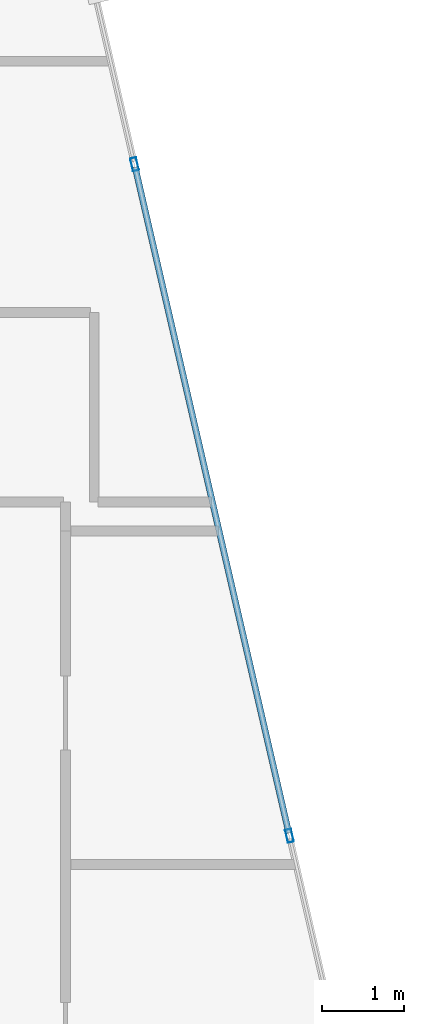
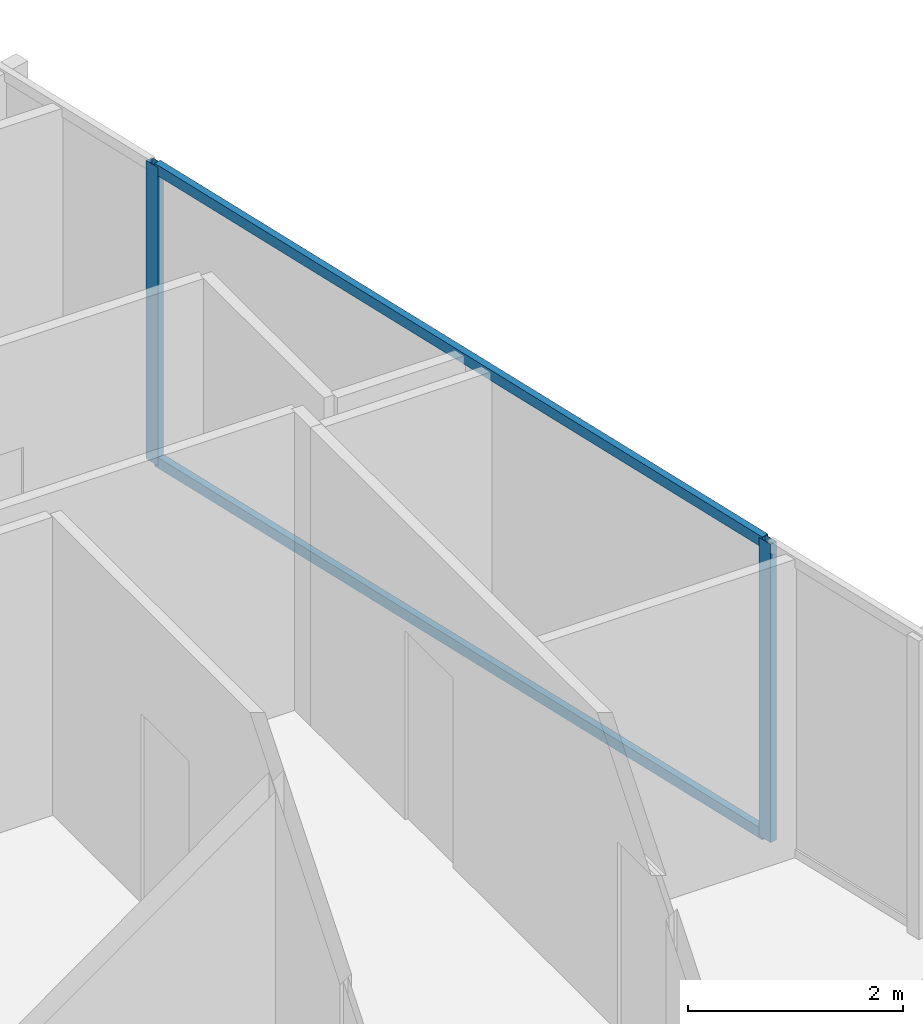
# One storey, part 20 of 29: 4 members, 1 element without a shape of its own.
"""IFC4 building model written with IfcOpenShell, lengths in metres."""

from ifc_helpers import new_model, si_unit, direction, frame, origin, origin_2d, place, context, subcontext, project, spatial, hollow_rectangle, extrude, material, layer, layer_set, material_profile, profile_set, type_object, element, aggregate, save


model = new_model("IFC4")

# Units and contexts
model_context = context("Model", 3, precision=1e-05, world=origin(), true_north=direction((0.0, 1.0)))
body_context = subcontext(model_context, "Body", "Model", "MODEL_VIEW")
ifc_project = project(units=[si_unit("LENGTHUNIT", "METRE"), si_unit("AREAUNIT", "SQUARE_METRE"), si_unit("VOLUMEUNIT", "CUBIC_METRE"), si_unit("PLANEANGLEUNIT", "RADIAN"), si_unit("MASSUNIT", "GRAM", prefix="KILO")], contexts=[model_context])

# Site, building, storey
site_placement = place(None, origin())
site = spatial("IfcSite", under=ifc_project, at=site_placement, CompositionType="ELEMENT")
building_placement = place(site_placement, origin())
building = spatial("IfcBuilding", under=site, at=building_placement, Name="Keshet Zoharim Tower", CompositionType="ELEMENT")
storey_placement = place(building_placement, frame((0.0, 0.0, 226.5)))
storey = spatial("IfcBuildingStorey", under=building, at=storey_placement, Name="L56", CompositionType="ELEMENT", Elevation=226.5)

# Curtain wall, members
ifc_material = material(Name="Aluminium 6063-T6", Category="aluminium")
ifc_layer = layer(ifc_material, 0.139892578125)
ifc_layer_set = layer_set([ifc_layer], Name="Aluminium 6063-T6")
curtain_wall_type = type_object("IfcCurtainWallType", Name="CW-SYS-05", PredefinedType="NOTDEFINED", material=ifc_layer_set)
curtain_wall_placement = place(storey_placement, origin())
curtain_wall = element("IfcCurtainWall", 1, at=curtain_wall_placement, inside=storey, type_object=curtain_wall_type, Name="L56 Unitised Curtain Wall 19", PredefinedType="NOTDEFINED")
ifc_material_profile_1 = material_profile(ifc_material, hollow_rectangle(XDim=0.074951171875, YDim=0.159912109375, WallThickness=0.00390625, at=origin_2d()), Name="MUL-75x160")
ifc_profile_set_1 = profile_set([ifc_material_profile_1], Name="Aluminium 6063-T6")
member_type_1 = type_object("IfcMemberType", Name="CWM-M15", PredefinedType="MULLION", material=ifc_profile_set_1)
member_1_placement = place(storey_placement, frame((41.23876953125, 44.199951171875, 0.0), z_axis=(0.0, 0.0, 1.0), x_axis=(0.974393882313, 0.224847864369, 0.0)))
member_1 = element("IfcMember", 2, at=member_1_placement, type_object=member_type_1, Name="CW-05 mullion 2", PredefinedType="MULLION", context=body_context, shape_type="SweptSolid", body=[
    extrude(hollow_rectangle(XDim=0.074951171875, YDim=0.159912109375, WallThickness=0.00390625, at=origin_2d()), origin(), (0.0, 0.0, 1.0), 3.389892578125),
])
member_2_placement = place(storey_placement, frame((43.119384765625, 36.050048828125, 0.0), z_axis=(0.0, 0.0, 1.0), x_axis=(0.974393882313, 0.224847864369, 0.0)))
member_2 = element("IfcMember", 3, at=member_2_placement, type_object=member_type_1, Name="CW-05 mullion 3", PredefinedType="MULLION", context=body_context, shape_type="SweptSolid", body=[
    extrude(hollow_rectangle(XDim=0.074951171875, YDim=0.159912109375, WallThickness=0.00390625, at=origin_2d()), origin(), (0.0, 0.0, 1.0), 3.389892578125),
])
ifc_material_profile_2 = material_profile(ifc_material, hollow_rectangle(XDim=0.074951171875, YDim=0.1201171875, WallThickness=0.00390625, at=origin_2d()), Name="TRN-75x120")
ifc_profile_set_2 = profile_set([ifc_material_profile_2], Name="Aluminium 6063-T6")
member_type_2 = type_object("IfcMemberType", Name="CWT-T12", PredefinedType="USERDEFINED", material=ifc_profile_set_2)
member_3_placement = place(storey_placement, frame((41.24658203125, 44.166015625, 0.034912109375), z_axis=(0.224848758198, -0.974393676055, 0.0), x_axis=(0.974393676055, 0.224848758198, 0.0)))
member_3 = element("IfcMember", 4, at=member_3_placement, type_object=member_type_2, Name="CW-05 transom 2.1", ObjectType="TRANSOM", PredefinedType="USERDEFINED", context=body_context, shape_type="SweptSolid", body=[
    extrude(hollow_rectangle(XDim=0.074951171875, YDim=0.1201171875, WallThickness=0.00390625, at=origin_2d()), origin(), (0.0, 0.0, 1.0), 8.29443359375),
])
member_4_placement = place(storey_placement, frame((41.24658203125, 44.166015625, 3.35498046875), z_axis=(0.224848758198, -0.974393676055, 0.0), x_axis=(0.974393676055, 0.224848758198, 0.0)))
member_4 = element("IfcMember", 5, at=member_4_placement, type_object=member_type_2, Name="CW-05 transom 2.2", ObjectType="TRANSOM", PredefinedType="USERDEFINED", context=body_context, shape_type="SweptSolid", body=[
    extrude(hollow_rectangle(XDim=0.074951171875, YDim=0.1201171875, WallThickness=0.00390625, at=origin_2d()), origin(), (0.0, 0.0, 1.0), 8.29443359375),
])
aggregate(curtain_wall, [member_1, member_2, member_3, member_4])

save(model, "model.ifc")
